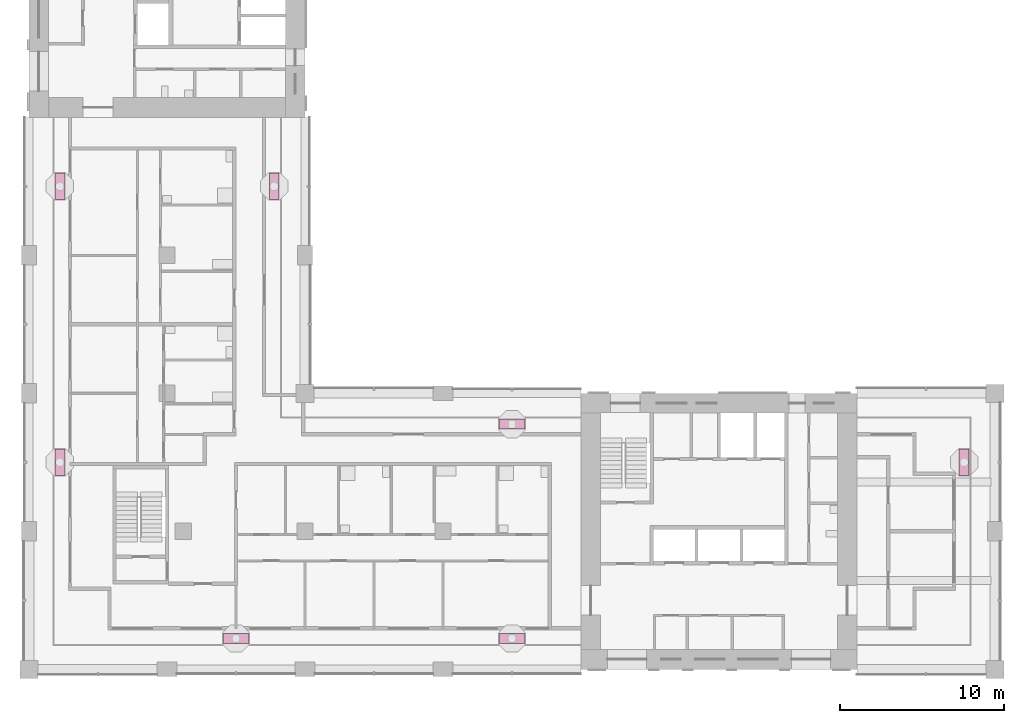
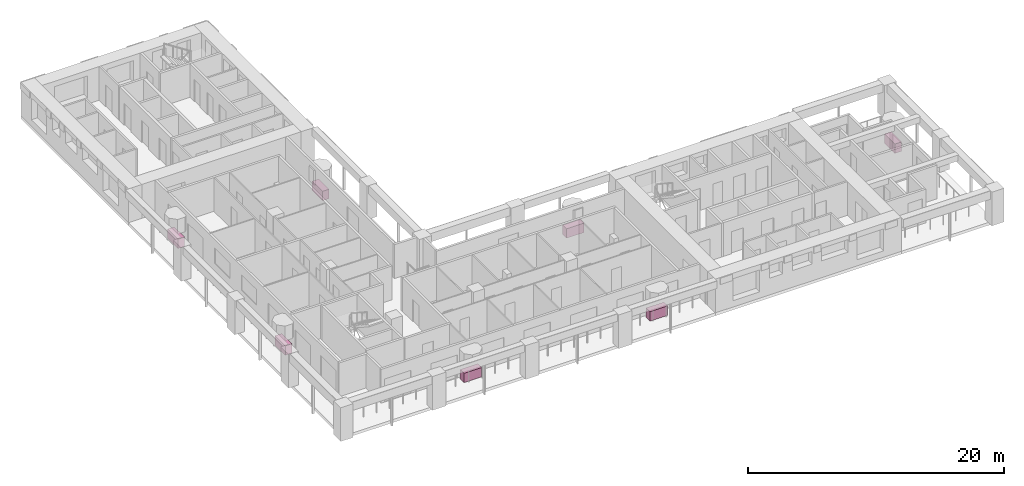
# One storey, part 12 of 13: 7 furniture elements.
"""IFC4 building model written with IfcOpenShell, lengths in metres."""

from ifc_helpers import new_model, si_unit, direction, frame, origin, origin_2d, place, context, subcontext, project, spatial, rectangle, extrude, material, element, save


model = new_model("IFC4")

# Units and contexts
model_context = context("Model", 3, precision=1e-05, world=origin(), true_north=direction((0.0, 1.0)))
body_context = subcontext(model_context, "Body", "Model", "MODEL_VIEW")
ifc_project = project(units=[si_unit("LENGTHUNIT", "METRE"), si_unit("AREAUNIT", "SQUARE_METRE"), si_unit("VOLUMEUNIT", "CUBIC_METRE"), si_unit("PLANEANGLEUNIT", "RADIAN"), si_unit("MASSUNIT", "GRAM", prefix="KILO")], contexts=[model_context])

# Site, building, storey
site_placement = place(None, origin())
site = spatial("IfcSite", under=ifc_project, at=site_placement, CompositionType="ELEMENT")
building_placement = place(site_placement, origin())
building = spatial("IfcBuilding", under=site, at=building_placement, Name="Vermilion Gate Residences", CompositionType="ELEMENT")
storey_placement = place(building_placement, frame((0.0, 0.0, 151.199951171875)))
storey = spatial("IfcBuildingStorey", under=building, at=storey_placement, Name="L38", CompositionType="ELEMENT", Elevation=151.199951171875)

# Furniture
ifc_material = material(Name="Terracotta planter", Category="masonry")
for number, where, z_axis, x_axis, name in (
    (1, (21.0, 10.27490234375, 0.0), (0.0, 0.0, 1.0), (1.0, 0.0, 0.0), "PLANTER"),
    (2, (37.800048828125, 10.27490234375, 0.0), (0.0, 0.0, 1.0), (1.0, 0.0, 0.0), "PLANTER"),
    (3, (65.324951171875, 21.0, 0.0), (0.0, 0.0, 1.0), (0.0, 1.0, 0.0), "PLANTER"),
    (4, (37.800048828125, 23.324951171875, 0.0), (0.0, 0.0, 1.0), (-1.0, 0.0, 0.0), "PLANTER"),
    (5, (23.324951171875, 37.800048828125, 0.0), (0.0, 0.0, 1.0), (0.0, 1.0, 0.0), "PLANTER"),
    (6, (10.27490234375, 21.0, 0.0), (0.0, 0.0, 1.0), (0.0, -1.0, 0.0), "PLANTER"),
    (7, (10.27490234375, 37.800048828125, 0.0), (0.0, 0.0, 1.0), (0.0, -1.0, 0.0), "PLANTER"),
):
    element("IfcFurniture", number, at=place(storey_placement, frame(where, z_axis=z_axis, x_axis=x_axis)), inside=storey, material=ifc_material, Name=name, ObjectType="PLANTER", PredefinedType="USERDEFINED", context=body_context, shape_type="SweptSolid", body=[
        extrude(rectangle(XDim=1.60009765625, YDim=0.60009765625, at=origin_2d()), origin(), (0.0, 0.0, 1.0), 0.89990234375),
    ])

save(model, "model.ifc")
